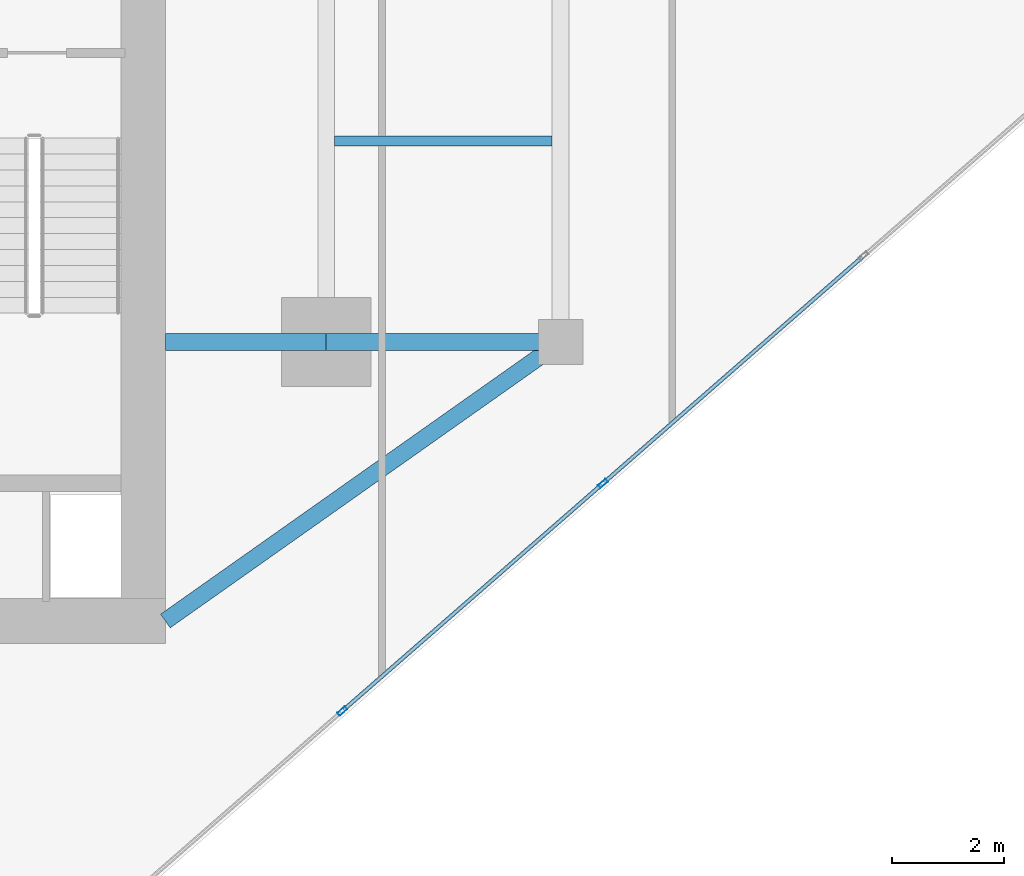
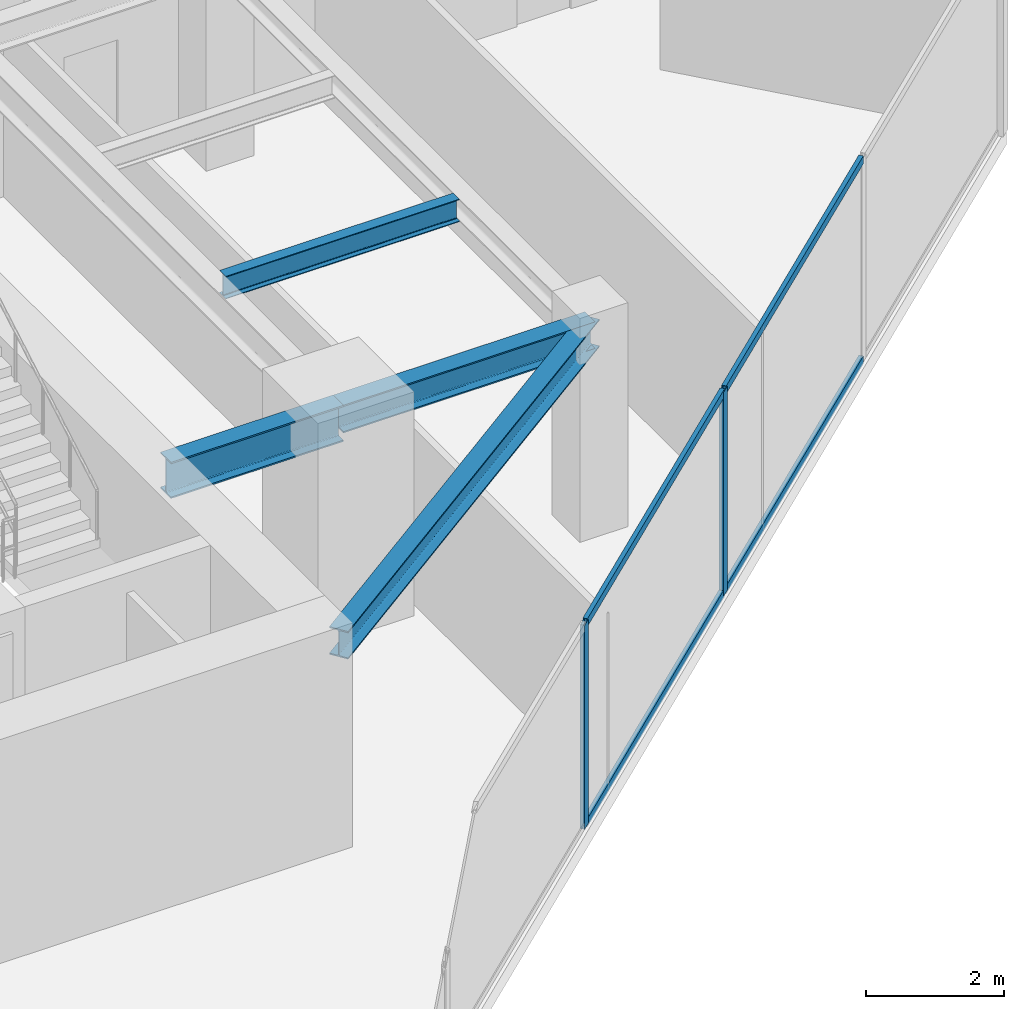
# One storey, part 9 of 24: 6 members, 4 beams, 1 element without a shape of its own.
"""IFC4 building model written with IfcOpenShell, lengths in metres."""

from ifc_helpers import new_model, si_unit, direction, frame, origin, origin_2d, place, context, subcontext, project, spatial, hollow_rectangle, i_section, extrude, source, transform, mapped, material, material_profile, profile_set, type_object, type_shapes, element, aggregate, save


model = new_model("IFC4")

# Units and contexts
model_context = context("Model", 3, precision=1e-05, world=origin(), true_north=direction((0.0, 1.0)))
body_context = subcontext(model_context, "Body", "Model", "MODEL_VIEW")
ifc_project = project(units=[si_unit("LENGTHUNIT", "METRE"), si_unit("AREAUNIT", "SQUARE_METRE"), si_unit("VOLUMEUNIT", "CUBIC_METRE"), si_unit("PLANEANGLEUNIT", "RADIAN"), si_unit("MASSUNIT", "GRAM", prefix="KILO")], contexts=[model_context])

# Site, building, storey
site_placement = place(None, origin())
site = spatial("IfcSite", under=ifc_project, at=site_placement, CompositionType="ELEMENT")
building_placement = place(site_placement, origin())
building = spatial("IfcBuilding", under=site, at=building_placement, Name="Krantzveldt Concourse Tower", CompositionType="ELEMENT")
storey_placement = place(building_placement, frame((0.0, 0.0, 258.64990234375)))
storey = spatial("IfcBuildingStorey", under=building, at=storey_placement, Name="L63", CompositionType="ELEMENT", Elevation=258.64990234375)

# Beams
ifc_material_1 = material(Name="Steel S355JR", Category="steel")
ifc_material_profile_1 = material_profile(ifc_material_1, i_section(OverallWidth=0.300048828125, OverallDepth=0.639892578125, WebThickness=0.013427734375, FlangeThickness=0.02587890625, FilletRadius=0.027099609375, at=origin_2d()), Name="Steel S355JR", Category="steel")
ifc_profile_set_1 = profile_set([ifc_material_profile_1], Name="Steel S355JR - HEA 650")
beam_type_1 = type_object("IfcBeamType", Name="BM-B-HEA650", PredefinedType="BEAM", material=ifc_profile_set_1)
shared_shape_1 = source(origin(), body_context, "Body", "SweptSolid", [
    extrude(i_section(OverallWidth=0.300048828125, OverallDepth=0.639892578125, WebThickness=0.013427734375, FlangeThickness=0.02587890625, FilletRadius=0.027099609375, at=origin_2d()), origin(), (0.0, 0.0, 1.0), 2.880126953125),
])
type_shapes(beam_type_1, [shared_shape_1])
beam_1_placement = place(storey_placement, frame((43.919921875, 15.89990234375, 3.280029296875), z_axis=(1.0, 0.0, 0.0), x_axis=(0.0, 1.0, 0.0)))
element("IfcBeam", 1, at=beam_1_placement, inside=storey, type_object=beam_type_1, Name="L63 Tower Girder BG-CE1", PredefinedType="BEAM", context=body_context, shape_type="MappedRepresentation", body=[
    mapped(shared_shape_1, transform((0.0, 0.0, 0.0), x_axis=(1.0, 0.0, 0.0), y_axis=(0.0, 1.0, 0.0), z_axis=(0.0, 0.0, 1.0), scale=1.0)),
])
ifc_material_profile_2 = material_profile(ifc_material_1, i_section(OverallWidth=0.300048828125, OverallDepth=0.489990234375, WebThickness=0.011962890625, FlangeThickness=0.02294921875, FilletRadius=0.027099609375, at=origin_2d()), Name="Steel S355JR", Category="steel")
ifc_profile_set_2 = profile_set([ifc_material_profile_2], Name="Steel S355JR - HEA 500")
beam_type_2 = type_object("IfcBeamType", Name="BM-B-HEA500", PredefinedType="BEAM", material=ifc_profile_set_2)
shared_shape_2 = source(origin(), body_context, "Body", "SweptSolid", [
    extrude(i_section(OverallWidth=0.300048828125, OverallDepth=0.489990234375, WebThickness=0.011962890625, FlangeThickness=0.02294921875, FilletRadius=0.027099609375, at=origin_2d()), origin(), (0.0, 0.0, 1.0), 4.199951171875),
])
beam_2_placement = place(storey_placement, frame((46.800048828125, 15.89990234375, 3.35498046875), z_axis=(1.0, 0.0, 0.0), x_axis=(0.0, 1.0, 0.0)))
element("IfcBeam", 2, at=beam_2_placement, inside=storey, type_object=beam_type_2, Name="L63 Tower Girder BR-RR1", PredefinedType="BEAM", context=body_context, shape_type="MappedRepresentation", body=[
    mapped(shared_shape_2, transform((0.0, 0.0, 0.0), x_axis=(1.0, 0.0, 0.0), y_axis=(0.0, 1.0, 0.0), z_axis=(0.0, 0.0, 1.0), scale=1.0)),
])
shared_shape_3 = source(origin(), body_context, "Body", "SweptSolid", [
    extrude(i_section(OverallWidth=0.300048828125, OverallDepth=0.489990234375, WebThickness=0.011962890625, FlangeThickness=0.02294921875, FilletRadius=0.027099609375, at=origin_2d()), origin(), (0.0, 0.0, 1.0), 8.667724609375),
])
type_shapes(beam_type_2, [shared_shape_2, shared_shape_3])
beam_3_placement = place(storey_placement, frame((51.0, 15.89990234375, 3.35498046875), z_axis=(-0.81684294656, -0.576860122261, 0.0), x_axis=(0.576860122261, -0.81684294656, 0.0)))
element("IfcBeam", 3, at=beam_3_placement, inside=storey, type_object=beam_type_2, Name="L63 Tower Girder BR-CSE", PredefinedType="BEAM", context=body_context, shape_type="MappedRepresentation", body=[
    mapped(shared_shape_3, transform((0.0, 0.0, 0.0), x_axis=(1.0, 0.0, 0.0), y_axis=(0.0, 1.0, 0.0), z_axis=(0.0, 0.0, 1.0), scale=1.0)),
])
ifc_material_profile_3 = material_profile(ifc_material_1, i_section(OverallWidth=0.179931640625, OverallDepth=0.39990234375, WebThickness=0.008544921875, FlangeThickness=0.013427734375, FilletRadius=0.02099609375, at=origin_2d()), Name="Steel S355JR", Category="steel")
ifc_profile_set_3 = profile_set([ifc_material_profile_3], Name="Steel S355JR - IPE 400")
beam_type_3 = type_object("IfcBeamType", Name="BM-J-IPE400", PredefinedType="JOIST", material=ifc_profile_set_3)
shared_shape_4 = source(origin(), body_context, "Body", "SweptSolid", [
    extrude(i_section(OverallWidth=0.179931640625, OverallDepth=0.39990234375, WebThickness=0.008544921875, FlangeThickness=0.013427734375, FilletRadius=0.02099609375, at=origin_2d()), origin(), (0.0, 0.0, 1.0), 3.900146484375),
])
type_shapes(beam_type_3, [shared_shape_4])
beam_4_placement = place(storey_placement, frame((46.949951171875, 19.5, 3.400146484375), z_axis=(1.0, 0.0, 0.0), x_axis=(0.0, 1.0, 0.0)))
element("IfcBeam", 4, at=beam_4_placement, inside=storey, type_object=beam_type_3, Name="L63 Secondary Floor Joist JE-1", PredefinedType="JOIST", context=body_context, shape_type="MappedRepresentation", body=[
    mapped(shared_shape_4, transform((0.0, 0.0, 0.0), x_axis=(1.0, 0.0, 0.0), y_axis=(0.0, 1.0, 0.0), z_axis=(0.0, 0.0, 1.0), scale=1.0)),
])

# Curtain wall, members
ifc_material_2 = material(Name="Anodised aluminium 6063-T6", Category="aluminium")
curtain_wall_type = type_object("IfcCurtainWallType", Name="CW3", PredefinedType="USERDEFINED", material=ifc_material_2)
curtain_wall_placement = place(storey_placement, origin())
curtain_wall = element("IfcCurtainWall", 5, at=curtain_wall_placement, inside=storey, type_object=curtain_wall_type, Name="CW-L63-F07", ObjectType="UNITISED CURTAIN WALL", PredefinedType="USERDEFINED")
ifc_material_profile_4 = material_profile(ifc_material_2, hollow_rectangle(XDim=0.070068359375, YDim=0.179931640625, WallThickness=0.0048828125, at=origin_2d()), Name="Anodised aluminium 6063-T6", Category="aluminium")
ifc_profile_set_4 = profile_set([ifc_material_profile_4], Name="Anodised aluminium 6063-T6 - ALU-MULL 180x70x5")
member_type_1 = type_object("IfcMemberType", Name="CW-MUL-180", PredefinedType="MULLION", material=ifc_profile_set_4)
shared_shape_5 = source(origin(), body_context, "Body", "SweptSolid", [
    extrude(hollow_rectangle(XDim=0.070068359375, YDim=0.179931640625, WallThickness=0.0048828125, at=origin_2d()), origin(), (0.0, 0.0, 1.0), 3.60009765625),
])
type_shapes(member_type_1, [shared_shape_5])
member_1_placement = place(storey_placement, frame((47.088623046875, 9.28662109375, 0.0), z_axis=(0.0, 0.0, 1.0), x_axis=(-0.657703938567, 0.753276529034, 0.0)))
member_1 = element("IfcMember", 6, at=member_1_placement, type_object=member_type_1, Name="CW-Z34 mullion 3", PredefinedType="MULLION", context=body_context, shape_type="MappedRepresentation", body=[
    mapped(shared_shape_5, transform((0.0, 0.0, 0.0), x_axis=(1.0, 0.0, 0.0), y_axis=(0.0, 1.0, 0.0), z_axis=(0.0, 0.0, 1.0), scale=1.0)),
])
member_2_placement = place(storey_placement, frame((51.7587890625, 13.364501953125, 0.0), z_axis=(0.0, 0.0, 1.0), x_axis=(-0.657703938567, 0.753276529034, 0.0)))
member_2 = element("IfcMember", 7, at=member_2_placement, type_object=member_type_1, Name="CW-Z34 mullion 4", PredefinedType="MULLION", context=body_context, shape_type="MappedRepresentation", body=[
    mapped(shared_shape_5, transform((0.0, 0.0, 0.0), x_axis=(1.0, 0.0, 0.0), y_axis=(0.0, 1.0, 0.0), z_axis=(0.0, 0.0, 1.0), scale=1.0)),
])
ifc_material_profile_5 = material_profile(ifc_material_2, hollow_rectangle(XDim=0.070068359375, YDim=0.139892578125, WallThickness=0.0048828125, at=origin_2d()), Name="Anodised aluminium 6063-T6", Category="aluminium")
ifc_profile_set_5 = profile_set([ifc_material_profile_5], Name="Anodised aluminium 6063-T6 - ALU-TRAN 140x70x5")
member_type_2 = type_object("IfcMemberType", Name="CW-TRN-150", PredefinedType="USERDEFINED", material=ifc_profile_set_5)
shared_shape_6 = source(origin(), body_context, "Body", "SweptSolid", [
    extrude(hollow_rectangle(XDim=0.070068359375, YDim=0.139892578125, WallThickness=0.0048828125, at=origin_2d()), origin(), (0.0, 0.0, 1.0), 6.130126953125),
])
member_3_placement = place(storey_placement, frame((51.78515625, 13.387451171875, 0.03515625), z_axis=(0.753281864593, 0.657697827635, 0.0), x_axis=(-0.657697827635, 0.753281864593, 0.0)))
member_3 = element("IfcMember", 8, at=member_3_placement, type_object=member_type_2, Name="CW-Z34 transom 4.1", ObjectType="TRANSOM", PredefinedType="USERDEFINED", context=body_context, shape_type="MappedRepresentation", body=[
    mapped(shared_shape_6, transform((0.0, 0.0, 0.0), x_axis=(1.0, 0.0, 0.0), y_axis=(0.0, 1.0, 0.0), z_axis=(0.0, 0.0, 1.0), scale=1.0)),
])
member_4_placement = place(storey_placement, frame((51.78515625, 13.387451171875, 3.565185546875), z_axis=(0.753281864593, 0.657697827635, 0.0), x_axis=(-0.657697827635, 0.753281864593, 0.0)))
member_4 = element("IfcMember", 9, at=member_4_placement, type_object=member_type_2, Name="CW-Z34 transom 4.2", ObjectType="TRANSOM", PredefinedType="USERDEFINED", context=body_context, shape_type="MappedRepresentation", body=[
    mapped(shared_shape_6, transform((0.0, 0.0, 0.0), x_axis=(1.0, 0.0, 0.0), y_axis=(0.0, 1.0, 0.0), z_axis=(0.0, 0.0, 1.0), scale=1.0)),
])
shared_shape_7 = source(origin(), body_context, "Body", "SweptSolid", [
    extrude(hollow_rectangle(XDim=0.070068359375, YDim=0.139892578125, WallThickness=0.0048828125, at=origin_2d()), origin(), (0.0, 0.0, 1.0), 6.1298828125),
])
type_shapes(member_type_2, [shared_shape_6, shared_shape_7])
member_5_placement = place(storey_placement, frame((47.114990234375, 9.309814453125, 0.03515625), z_axis=(0.753264636132, 0.657717559408, 0.0), x_axis=(-0.657717559408, 0.753264636132, 0.0)))
member_5 = element("IfcMember", 10, at=member_5_placement, type_object=member_type_2, Name="CW-Z34 transom 3.1", ObjectType="TRANSOM", PredefinedType="USERDEFINED", context=body_context, shape_type="MappedRepresentation", body=[
    mapped(shared_shape_7, transform((0.0, 0.0, 0.0), x_axis=(1.0, 0.0, 0.0), y_axis=(0.0, 1.0, 0.0), z_axis=(0.0, 0.0, 1.0), scale=1.0)),
])
member_6_placement = place(storey_placement, frame((47.114990234375, 9.309814453125, 3.565185546875), z_axis=(0.753264636132, 0.657717559408, 0.0), x_axis=(-0.657717559408, 0.753264636132, 0.0)))
member_6 = element("IfcMember", 11, at=member_6_placement, type_object=member_type_2, Name="CW-Z34 transom 3.2", ObjectType="TRANSOM", PredefinedType="USERDEFINED", context=body_context, shape_type="MappedRepresentation", body=[
    mapped(shared_shape_7, transform((0.0, 0.0, 0.0), x_axis=(1.0, 0.0, 0.0), y_axis=(0.0, 1.0, 0.0), z_axis=(0.0, 0.0, 1.0), scale=1.0)),
])
aggregate(curtain_wall, [member_1, member_2, member_5, member_6, member_3, member_4])

save(model, "model.ifc")
